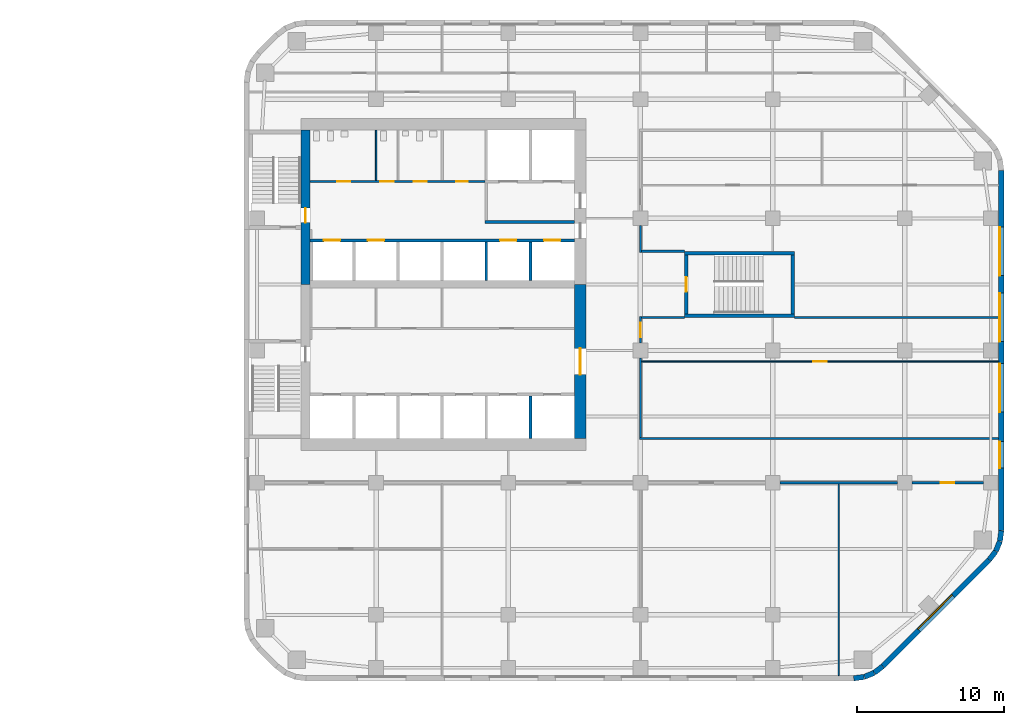
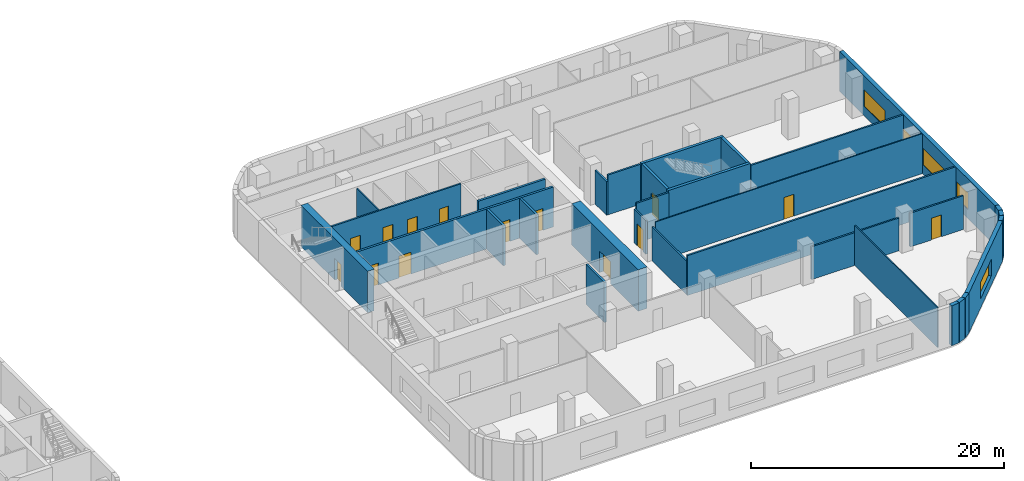
# One storey, part 9 of 14: 32 walls, 14 doors, 5 windows, 19 openings.
"""IFC4 building model written with IfcOpenShell, lengths in metres."""

from ifc_helpers import new_model, si_unit, direction, frame, frame_2d, origin, place, context, subcontext, project, spatial, rectangle, extrude, material, layer, layer_set, type_object, element, fill, save


model = new_model("IFC4")

# Units and contexts
model_context = context("Model", 3, precision=1e-05, world=origin(), true_north=direction((0.0, 1.0)))
body_context = subcontext(model_context, "Body", "Model", "MODEL_VIEW")
ifc_project = project(units=[si_unit("LENGTHUNIT", "METRE"), si_unit("AREAUNIT", "SQUARE_METRE"), si_unit("VOLUMEUNIT", "CUBIC_METRE"), si_unit("PLANEANGLEUNIT", "RADIAN"), si_unit("MASSUNIT", "GRAM", prefix="KILO")], contexts=[model_context])

# Site, building, storey
site_placement = place(None, origin())
site = spatial("IfcSite", under=ifc_project, at=site_placement, CompositionType="ELEMENT")
building_placement = place(site_placement, origin())
building = spatial("IfcBuilding", under=site, at=building_placement, Name="Cinnabar Reach Civic Tower", CompositionType="ELEMENT")
storey_placement = place(building_placement, frame((0.0, 0.0, 108.0)))
storey = spatial("IfcBuildingStorey", under=building, at=storey_placement, Name="L25", CompositionType="ELEMENT", Elevation=108.0)

# Walls
ifc_material_1 = material(Name="Facing brick with insulated backing", Category="masonry")
ifc_layer_1 = layer(ifc_material_1, 0.36)
ifc_layer_set_1 = layer_set([ifc_layer_1], Name="Brick corner wall")
wall_type_1 = type_object("IfcWallType", Name="Brick corner wall", PredefinedType="STANDARD", material=ifc_layer_set_1)
for number, where, z_axis, x_axis, name in (
    (1, (41.5186, 4.683, 0.0), (0.0, 0.0, 1.0), (0.99144092581, 0.13055608231, 0.0), "Brick corner wall"),
    (2, (42.2473, 4.7819, 0.0), (0.0, 0.0, 1.0), (0.923871547278, 0.382702709855, 0.0), "Brick corner wall"),
):
    element("IfcWall", number, at=place(storey_placement, frame(where, z_axis=z_axis, x_axis=x_axis)), inside=storey, type_object=wall_type_1, Name=name, PredefinedType="STANDARD", context=body_context, shape_type="SweptSolid", body=[
        extrude(rectangle(XDim=0.7131, YDim=0.36, at=frame_2d((0.3565, 0.0))), origin(), (0.0, 0.0, 1.0), 3.85),
    ])
for number, where, z_axis, x_axis, name in (
    (3, (42.9255, 5.066, 0.0), (0.0, 0.0, 1.0), (0.793321924995, 0.608802368033, 0.0), "Brick corner wall"),
    (4, (50.7498, 12.7587, 0.0), (0.0, 0.0, 1.0), (0.608802368033, 0.793321924995, 0.0), "Brick corner wall"),
):
    element("IfcWall", number, at=place(storey_placement, frame(where, z_axis=z_axis, x_axis=x_axis)), inside=storey, type_object=wall_type_1, Name=name, PredefinedType="STANDARD", context=body_context, shape_type="SweptSolid", body=[
        extrude(rectangle(XDim=0.7132, YDim=0.36, at=frame_2d((0.3566, 0.0))), origin(), (0.0, 0.0, 1.0), 3.85),
    ])
for number, where, z_axis, x_axis, name in (
    (5, (51.1952, 13.3439, 0.0), (0.0, 0.0, 1.0), (0.382702709855, 0.923871547278, 0.0), "Brick corner wall"),
    (6, (51.4739, 14.0244, 0.0), (0.0, 0.0, 1.0), (0.13055608231, 0.99144092581, 0.0), "Brick corner wall"),
):
    element("IfcWall", number, at=place(storey_placement, frame(where, z_axis=z_axis, x_axis=x_axis)), inside=storey, type_object=wall_type_1, Name=name, PredefinedType="STANDARD", context=body_context, shape_type="SweptSolid", body=[
        extrude(rectangle(XDim=0.7131, YDim=0.36, at=frame_2d((0.3565, 0.0))), origin(), (0.0, 0.0, 1.0), 3.85),
    ])

# Wall, opening, window
ifc_layer_2 = layer(ifc_material_1, 0.36)
ifc_layer_set_2 = layer_set([ifc_layer_2], Name="Brick pier and spandrel wall")
wall_type_2 = type_object("IfcWallType", Name="Brick pier and spandrel wall", PredefinedType="STANDARD", material=ifc_layer_set_2)
wall_1_placement = place(storey_placement, frame((43.5014, 5.506, 0.0), z_axis=(0.0, 0.0, 1.0), x_axis=(0.707106781187, 0.707106781187, 0.0)))
wall_1 = element("IfcWall", 7, at=wall_1_placement, inside=storey, type_object=wall_type_2, Name="Brick facade wall", PredefinedType="STANDARD", context=body_context, shape_type="SweptSolid", body=[
    extrude(rectangle(XDim=10.2426, YDim=0.36, at=frame_2d((5.1213, 0.0))), origin(), (0.0, 0.0, 1.0), 3.85),
])
opening_1_placement = place(wall_1_placement, frame((3.4713, 0.0, 0.9)))
opening_1 = element("IfcOpeningElement", 8, at=opening_1_placement, cuts=wall_1, Name="Opening W1530", PredefinedType="OPENING", context=body_context, shape_type="SweptSolid", body=[
    extrude(rectangle(XDim=3.3, YDim=1.6, at=frame_2d((1.65, 0.8))), frame((0.0, 0.19, 0.0), z_axis=(0.0, -1.0, 0.0), x_axis=(1.0, 0.0, 0.0)), (0.0, 0.0, 1.0), 0.38),
])
ifc_material_2 = material(Name="Clear double glazing in aluminium frame", Category="aluminium")
window_type_1 = type_object("IfcWindowType", Name="Deep-set window A", PartitioningType="SINGLE_PANEL", PredefinedType="WINDOW", material=ifc_material_2)
window_1_placement = place(opening_1_placement, origin())
window_1 = element("IfcWindow", 9, at=window_1_placement, inside=storey, type_object=window_type_1, Name="Window southeast face", OverallHeight=1.6, OverallWidth=3.3, PartitioningType="SINGLE_PANEL", PredefinedType="WINDOW", context=body_context, shape_type="SweptSolid", body=[
    extrude(rectangle(XDim=3.3, YDim=1.6, at=frame_2d((1.65, 0.8))), frame((0.0, 0.13, 0.0), z_axis=(0.0, -1.0, 0.0), x_axis=(1.0, 0.0, 0.0)), (0.0, 0.0, 1.0), 0.06),
])
fill(opening_1, window_1)

# Wall, openings, windows
wall_2_placement = place(storey_placement, frame((51.57, 14.7426, 0.0), z_axis=(0.0, 0.0, 1.0), x_axis=(0.0, 1.0, 0.0)))
wall_2 = element("IfcWall", 10, at=wall_2_placement, inside=storey, type_object=wall_type_2, Name="Brick facade wall", PredefinedType="STANDARD", context=body_context, shape_type="SweptSolid", body=[
    extrude(rectangle(XDim=24.5148, YDim=0.36, at=frame_2d((12.2574, 0.0))), origin(), (0.0, 0.0, 1.0), 3.85),
])
opening_2_placement = place(wall_2_placement, frame((4.2574, 0.0, 0.9)))
opening_2 = element("IfcOpeningElement", 11, at=opening_2_placement, cuts=wall_2, Name="Opening W1531", PredefinedType="OPENING", context=body_context, shape_type="SweptSolid", body=[
    extrude(rectangle(XDim=1.8, YDim=1.6, at=frame_2d((0.9, 0.8))), frame((0.0, 0.19, 0.0), z_axis=(0.0, -1.0, 0.0), x_axis=(1.0, 0.0, 0.0)), (0.0, 0.0, 1.0), 0.38),
])
opening_3_placement = place(wall_2_placement, frame((8.0574, 0.0, 0.9)))
opening_3 = element("IfcOpeningElement", 12, at=opening_3_placement, cuts=wall_2, Name="Opening W1532", PredefinedType="OPENING", context=body_context, shape_type="SweptSolid", body=[
    extrude(rectangle(XDim=3.3, YDim=1.6, at=frame_2d((1.65, 0.8))), frame((0.0, 0.19, 0.0), z_axis=(0.0, -1.0, 0.0), x_axis=(1.0, 0.0, 0.0)), (0.0, 0.0, 1.0), 0.38),
])
opening_4_placement = place(wall_2_placement, frame((12.8574, 0.0, 0.9)))
opening_4 = element("IfcOpeningElement", 13, at=opening_4_placement, cuts=wall_2, Name="Opening W1533", PredefinedType="OPENING", context=body_context, shape_type="SweptSolid", body=[
    extrude(rectangle(XDim=3.3, YDim=1.6, at=frame_2d((1.65, 0.8))), frame((0.0, 0.19, 0.0), z_axis=(0.0, -1.0, 0.0), x_axis=(1.0, 0.0, 0.0)), (0.0, 0.0, 1.0), 0.38),
])
opening_5_placement = place(wall_2_placement, frame((17.3574, 0.0, 0.9)))
opening_5 = element("IfcOpeningElement", 14, at=opening_5_placement, cuts=wall_2, Name="Opening W1534", PredefinedType="OPENING", context=body_context, shape_type="SweptSolid", body=[
    extrude(rectangle(XDim=3.3, YDim=1.6, at=frame_2d((1.65, 0.8))), frame((0.0, 0.19, 0.0), z_axis=(0.0, -1.0, 0.0), x_axis=(1.0, 0.0, 0.0)), (0.0, 0.0, 1.0), 0.38),
])
window_2_placement = place(opening_3_placement, origin())
window_2 = element("IfcWindow", 15, at=window_2_placement, inside=storey, type_object=window_type_1, Name="Window east face", OverallHeight=1.6, OverallWidth=3.3, PartitioningType="SINGLE_PANEL", PredefinedType="WINDOW", context=body_context, shape_type="SweptSolid", body=[
    extrude(rectangle(XDim=3.3, YDim=1.6, at=frame_2d((1.65, 0.8))), frame((0.0, 0.13, 0.0), z_axis=(0.0, -1.0, 0.0), x_axis=(1.0, 0.0, 0.0)), (0.0, 0.0, 1.0), 0.06),
])
fill(opening_3, window_2)
window_3_placement = place(opening_4_placement, origin())
window_3 = element("IfcWindow", 16, at=window_3_placement, inside=storey, type_object=window_type_1, Name="Window east face", OverallHeight=1.6, OverallWidth=3.3, PartitioningType="SINGLE_PANEL", PredefinedType="WINDOW", context=body_context, shape_type="SweptSolid", body=[
    extrude(rectangle(XDim=3.3, YDim=1.6, at=frame_2d((1.65, 0.8))), frame((0.0, 0.13, 0.0), z_axis=(0.0, -1.0, 0.0), x_axis=(1.0, 0.0, 0.0)), (0.0, 0.0, 1.0), 0.06),
])
fill(opening_4, window_3)
window_4_placement = place(opening_5_placement, origin())
window_4 = element("IfcWindow", 17, at=window_4_placement, inside=storey, type_object=window_type_1, Name="Window east face", OverallHeight=1.6, OverallWidth=3.3, PartitioningType="SINGLE_PANEL", PredefinedType="WINDOW", context=body_context, shape_type="SweptSolid", body=[
    extrude(rectangle(XDim=3.3, YDim=1.6, at=frame_2d((1.65, 0.8))), frame((0.0, 0.13, 0.0), z_axis=(0.0, -1.0, 0.0), x_axis=(1.0, 0.0, 0.0)), (0.0, 0.0, 1.0), 0.06),
])
fill(opening_5, window_4)
window_type_2 = type_object("IfcWindowType", Name="Deep-set window D", PartitioningType="SINGLE_PANEL", PredefinedType="WINDOW", material=ifc_material_2)
window_5_placement = place(opening_2_placement, origin())
window_5 = element("IfcWindow", 18, at=window_5_placement, inside=storey, type_object=window_type_2, Name="Window east face", OverallHeight=1.6, OverallWidth=1.8, PartitioningType="SINGLE_PANEL", PredefinedType="WINDOW", context=body_context, shape_type="SweptSolid", body=[
    extrude(rectangle(XDim=1.8, YDim=1.6, at=frame_2d((0.9, 0.8))), frame((0.0, 0.13, 0.0), z_axis=(0.0, -1.0, 0.0), x_axis=(1.0, 0.0, 0.0)), (0.0, 0.0, 1.0), 0.06),
])
fill(opening_2, window_5)

# Wall, opening, door
ifc_material_3 = material(Name="Concrete C70", Category="concrete")
ifc_layer_3 = layer(ifc_material_3, 0.6)
ifc_layer_set_3 = layer_set([ifc_layer_3], Name="Core wall 600 EI 180")
wall_type_3 = type_object("IfcWallType", Name="Core wall 600 EI 180", PredefinedType="SOLIDWALL", material=ifc_layer_set_3)
wall_3_placement = place(storey_placement, frame((4.2, 42.0, 0.0), z_axis=(0.0, 0.0, 1.0), x_axis=(0.0, -1.0, 0.0)))
wall_3 = element("IfcWall", 19, at=wall_3_placement, inside=storey, type_object=wall_type_3, Name="Core wall T1 L25 W", PredefinedType="SOLIDWALL", context=body_context, shape_type="SweptSolid", body=[
    extrude(rectangle(XDim=10.5, YDim=0.6, at=frame_2d((5.25, 0.0))), origin(), (0.0, 0.0, 1.0), 4.0),
])
opening_6_placement = place(wall_3_placement, frame((5.3, 0.0, 0.0)))
opening_6 = element("IfcOpeningElement", 20, at=opening_6_placement, cuts=wall_3, Name="Opening D4007", PredefinedType="OPENING", context=body_context, shape_type="SweptSolid", body=[
    extrude(rectangle(XDim=1.0, YDim=2.1, at=frame_2d((0.5, 1.05))), frame((0.0, 0.31, 0.0), z_axis=(0.0, -1.0, 0.0), x_axis=(1.0, 0.0, 0.0)), (0.0, 0.0, 1.0), 0.62),
])
ifc_material_4 = material(Name="Timber door leaf in steel frame", Category="steel")
door_type_1 = type_object("IfcDoorType", Name="Stair door 1000 x 2100 T1", OperationType="SINGLE_SWING_LEFT", PredefinedType="DOOR", material=ifc_material_4)
door_1_placement = place(opening_6_placement, frame((1.0, 0.0, 0.0), z_axis=(0.0, 0.0, 1.0), x_axis=(-1.0, 0.0, 0.0)))
door_1 = element("IfcDoor", 21, at=door_1_placement, inside=storey, type_object=door_type_1, Name="Door D4007", OperationType="SINGLE_SWING_LEFT", OverallHeight=2.1, OverallWidth=1.0, PredefinedType="DOOR", context=body_context, shape_type="SweptSolid", body=[
    extrude(rectangle(XDim=1.0, YDim=2.1, at=frame_2d((0.5, 1.05))), frame((0.0, 0.025, 0.0), z_axis=(0.0, -1.0, 0.0), x_axis=(1.0, 0.0, 0.0)), (0.0, 0.0, 1.0), 0.05),
])
fill(opening_6, door_1)

ifc_layer_4 = layer(ifc_material_3, 0.8)
ifc_layer_set_4 = layer_set([ifc_layer_4], Name="Core wall 800 EI 180")
wall_type_4 = type_object("IfcWallType", Name="Core wall 800 EI 180", PredefinedType="SOLIDWALL", material=ifc_layer_set_4)
wall_4_placement = place(storey_placement, frame((22.9, 21.0, 0.0), z_axis=(0.0, 0.0, 1.0), x_axis=(0.0, 1.0, 0.0)))
wall_4 = element("IfcWall", 22, at=wall_4_placement, inside=storey, type_object=wall_type_4, Name="Core wall T1 L25 E", PredefinedType="SOLIDWALL", context=body_context, shape_type="SweptSolid", body=[
    extrude(rectangle(XDim=10.5, YDim=0.8, at=frame_2d((5.25, 0.0))), origin(), (0.0, 0.0, 1.0), 4.0),
])
opening_7_placement = place(wall_4_placement, frame((4.35, 0.0, 0.0)))
opening_7 = element("IfcOpeningElement", 23, at=opening_7_placement, cuts=wall_4, Name="Opening D4021", PredefinedType="OPENING", context=body_context, shape_type="SweptSolid", body=[
    extrude(rectangle(XDim=1.8, YDim=2.1, at=frame_2d((0.9, 1.05))), frame((0.0, 0.41, 0.0), z_axis=(0.0, -1.0, 0.0), x_axis=(1.0, 0.0, 0.0)), (0.0, 0.0, 1.0), 0.82),
])
door_type_2 = type_object("IfcDoorType", Name="Double swing door 1800 x 2100 T1", OperationType="DOUBLE_DOOR_DOUBLE_SWING", PredefinedType="DOOR", material=ifc_material_4)
door_2_placement = place(opening_7_placement, origin())
door_2 = element("IfcDoor", 24, at=door_2_placement, inside=storey, type_object=door_type_2, Name="Door D4021", OperationType="DOUBLE_DOOR_DOUBLE_SWING", OverallHeight=2.1, OverallWidth=1.8, PredefinedType="DOOR", context=body_context, shape_type="SweptSolid", body=[
    extrude(rectangle(XDim=1.8, YDim=2.1, at=frame_2d((0.9, 1.05))), frame((0.0, 0.025, 0.0), z_axis=(0.0, -1.0, 0.0), x_axis=(1.0, 0.0, 0.0)), (0.0, 0.0, 1.0), 0.05),
])
fill(opening_7, door_2)

ifc_material_5 = material(Name="Gypsum board on steel studs, double layer", Category="steel")
ifc_layer_5 = layer(ifc_material_5, 0.15)
ifc_layer_set_5 = layer_set([ifc_layer_5], Name="Corridor wall 150 T1")
wall_type_5 = type_object("IfcWallType", Name="Corridor wall 150 T1", PredefinedType="PARTITIONING", material=ifc_layer_set_5)
wall_5_placement = place(storey_placement, frame((45.5, 18.0, 0.0), z_axis=(0.0, 0.0, 1.0), x_axis=(1.0, 0.0, 0.0)))
wall_5 = element("IfcWall", 25, at=wall_5_placement, inside=storey, type_object=wall_type_5, Name="Corridor wall 19", PredefinedType="PARTITIONING", context=body_context, shape_type="SweptSolid", body=[
    extrude(rectangle(XDim=4.85, YDim=0.15, at=frame_2d((2.425, 0.0))), origin(), (0.0, 0.0, 1.0), 3.254),
])
opening_8_placement = place(wall_5_placement, frame((1.95, 0.0, 0.0)))
opening_8 = element("IfcOpeningElement", 26, at=opening_8_placement, cuts=wall_5, Name="Opening D4041", PredefinedType="OPENING", context=body_context, shape_type="SweptSolid", body=[
    extrude(rectangle(XDim=0.9, YDim=2.1, at=frame_2d((0.45, 1.05))), frame((0.0, 0.085, 0.0), z_axis=(0.0, -1.0, 0.0), x_axis=(1.0, 0.0, 0.0)), (0.0, 0.0, 1.0), 0.17),
])
door_type_3 = type_object("IfcDoorType", Name="Single swing door 900 x 2100 corridor T1", OperationType="SINGLE_SWING_LEFT", PredefinedType="DOOR", material=ifc_material_4)
door_3_placement = place(opening_8_placement, frame((0.9, 0.0, 0.0), z_axis=(0.0, 0.0, 1.0), x_axis=(-1.0, 0.0, 0.0)))
door_3 = element("IfcDoor", 27, at=door_3_placement, inside=storey, type_object=door_type_3, Name="Door D4041", OperationType="SINGLE_SWING_LEFT", OverallHeight=2.1, OverallWidth=0.9, PredefinedType="DOOR", context=body_context, shape_type="SweptSolid", body=[
    extrude(rectangle(XDim=0.9, YDim=2.1, at=frame_2d((0.45, 1.05))), frame((0.0, 0.025, 0.0), z_axis=(0.0, -1.0, 0.0), x_axis=(1.0, 0.0, 0.0)), (0.0, 0.0, 1.0), 0.05),
])
fill(opening_8, door_3)

# Walls
wall_6_placement = place(storey_placement, frame((36.5, 18.0, 0.0), z_axis=(0.0, 0.0, 1.0), x_axis=(1.0, 0.0, 0.0)))
element("IfcWall", 28, at=wall_6_placement, inside=storey, type_object=wall_type_5, Name="Corridor wall 20", PredefinedType="PARTITIONING", context=body_context, shape_type="SweptSolid", body=[
    extrude(rectangle(XDim=8.0, YDim=0.15, at=frame_2d((4.0, 0.0))), origin(), (0.0, 0.0, 1.0), 3.158),
])
wall_7_placement = place(storey_placement, frame((26.925, 21.0, 0.0), z_axis=(0.0, 0.0, 1.0), x_axis=(1.0, 0.0, 0.0)))
element("IfcWall", 29, at=wall_7_placement, inside=storey, type_object=wall_type_5, Name="Corridor wall 26", PredefinedType="PARTITIONING", context=body_context, shape_type="SweptSolid", body=[
    extrude(rectangle(XDim=24.465, YDim=0.15, at=frame_2d((12.2325, 0.0))), origin(), (0.0, 0.0, 1.0), 3.85),
])

# Wall, openings, doors
wall_8_placement = place(storey_placement, frame((4.5, 38.5, 0.0), z_axis=(0.0, 0.0, 1.0), x_axis=(1.0, 0.0, 0.0)))
wall_8 = element("IfcWall", 30, at=wall_8_placement, inside=storey, type_object=wall_type_5, Name="Corridor wall 30", PredefinedType="PARTITIONING", context=body_context, shape_type="SweptSolid", body=[
    extrude(rectangle(XDim=11.9, YDim=0.15, at=frame_2d((5.95, 0.0))), origin(), (0.0, 0.0, 1.0), 3.85),
])
opening_9_placement = place(wall_8_placement, frame((1.85, 0.0, 0.0)))
opening_9 = element("IfcOpeningElement", 31, at=opening_9_placement, cuts=wall_8, Name="Opening D4028", PredefinedType="OPENING", context=body_context, shape_type="SweptSolid", body=[
    extrude(rectangle(XDim=0.9, YDim=2.1, at=frame_2d((0.45, 1.05))), frame((0.0, 0.085, 0.0), z_axis=(0.0, -1.0, 0.0), x_axis=(1.0, 0.0, 0.0)), (0.0, 0.0, 1.0), 0.17),
])
opening_10_placement = place(wall_8_placement, frame((4.8, 0.0, 0.0)))
opening_10 = element("IfcOpeningElement", 32, at=opening_10_placement, cuts=wall_8, Name="Opening D4029", PredefinedType="OPENING", context=body_context, shape_type="SweptSolid", body=[
    extrude(rectangle(XDim=0.9, YDim=2.1, at=frame_2d((0.45, 1.05))), frame((0.0, 0.085, 0.0), z_axis=(0.0, -1.0, 0.0), x_axis=(1.0, 0.0, 0.0)), (0.0, 0.0, 1.0), 0.17),
])
opening_11_placement = place(wall_8_placement, frame((7.05, 0.0, 0.0)))
opening_11 = element("IfcOpeningElement", 33, at=opening_11_placement, cuts=wall_8, Name="Opening D4030", PredefinedType="OPENING", context=body_context, shape_type="SweptSolid", body=[
    extrude(rectangle(XDim=0.9, YDim=2.1, at=frame_2d((0.45, 1.05))), frame((0.0, 0.085, 0.0), z_axis=(0.0, -1.0, 0.0), x_axis=(1.0, 0.0, 0.0)), (0.0, 0.0, 1.0), 0.17),
])
opening_12_placement = place(wall_8_placement, frame((9.95, 0.0, 0.0)))
opening_12 = element("IfcOpeningElement", 34, at=opening_12_placement, cuts=wall_8, Name="Opening D4031", PredefinedType="OPENING", context=body_context, shape_type="SweptSolid", body=[
    extrude(rectangle(XDim=0.8, YDim=2.1, at=frame_2d((0.4, 1.05))), frame((0.0, 0.085, 0.0), z_axis=(0.0, -1.0, 0.0), x_axis=(1.0, 0.0, 0.0)), (0.0, 0.0, 1.0), 0.17),
])
door_type_4 = type_object("IfcDoorType", Name="Riser access door 800 x 2100 T1", OperationType="SINGLE_SWING_LEFT", PredefinedType="DOOR", material=ifc_material_4)
door_4_placement = place(opening_12_placement, origin())
door_4 = element("IfcDoor", 35, at=door_4_placement, inside=storey, type_object=door_type_4, Name="Door D4031", OperationType="SINGLE_SWING_LEFT", OverallHeight=2.1, OverallWidth=0.8, PredefinedType="DOOR", context=body_context, shape_type="SweptSolid", body=[
    extrude(rectangle(XDim=0.8, YDim=2.1, at=frame_2d((0.4, 1.05))), frame((0.0, 0.025, 0.0), z_axis=(0.0, -1.0, 0.0), x_axis=(1.0, 0.0, 0.0)), (0.0, 0.0, 1.0), 0.05),
])
fill(opening_12, door_4)
door_5_placement = place(opening_9_placement, origin())
door_5 = element("IfcDoor", 36, at=door_5_placement, inside=storey, type_object=door_type_3, Name="Door D4028", OperationType="SINGLE_SWING_RIGHT", OverallHeight=2.1, OverallWidth=0.9, PredefinedType="DOOR", context=body_context, shape_type="SweptSolid", body=[
    extrude(rectangle(XDim=0.9, YDim=2.1, at=frame_2d((0.45, 1.05))), frame((0.0, 0.025, 0.0), z_axis=(0.0, -1.0, 0.0), x_axis=(1.0, 0.0, 0.0)), (0.0, 0.0, 1.0), 0.05),
])
fill(opening_9, door_5)
door_6_placement = place(opening_10_placement, origin())
door_6 = element("IfcDoor", 37, at=door_6_placement, inside=storey, type_object=door_type_3, Name="Door D4029", OperationType="SINGLE_SWING_RIGHT", OverallHeight=2.1, OverallWidth=0.9, PredefinedType="DOOR", context=body_context, shape_type="SweptSolid", body=[
    extrude(rectangle(XDim=0.9, YDim=2.1, at=frame_2d((0.45, 1.05))), frame((0.0, 0.025, 0.0), z_axis=(0.0, -1.0, 0.0), x_axis=(1.0, 0.0, 0.0)), (0.0, 0.0, 1.0), 0.05),
])
fill(opening_10, door_6)
door_7_placement = place(opening_11_placement, origin())
door_7 = element("IfcDoor", 38, at=door_7_placement, inside=storey, type_object=door_type_3, Name="Door D4030", OperationType="SINGLE_SWING_LEFT", OverallHeight=2.1, OverallWidth=0.9, PredefinedType="DOOR", context=body_context, shape_type="SweptSolid", body=[
    extrude(rectangle(XDim=0.9, YDim=2.1, at=frame_2d((0.45, 1.05))), frame((0.0, 0.025, 0.0), z_axis=(0.0, -1.0, 0.0), x_axis=(1.0, 0.0, 0.0)), (0.0, 0.0, 1.0), 0.05),
])
fill(opening_11, door_7)

# Wall
wall_9_placement = place(storey_placement, frame((27.0, 21.075, 0.0), z_axis=(0.0, 0.0, 1.0), x_axis=(0.0, 1.0, 0.0)))
element("IfcWall", 39, at=wall_9_placement, inside=storey, type_object=wall_type_5, Name="Corridor wall 31", PredefinedType="PARTITIONING", context=body_context, shape_type="SweptSolid", body=[
    extrude(rectangle(XDim=5.425, YDim=0.15, at=frame_2d((2.7125, 0.0))), origin(), (0.0, 0.0, 1.0), 3.256),
])

# Wall, opening, door
wall_10_placement = place(storey_placement, frame((27.0, 27.5, 0.0), z_axis=(0.0, 0.0, 1.0), x_axis=(0.0, 1.0, 0.0)))
wall_10 = element("IfcWall", 40, at=wall_10_placement, inside=storey, type_object=wall_type_5, Name="Corridor wall 32", PredefinedType="PARTITIONING", context=body_context, shape_type="SweptSolid", body=[
    extrude(rectangle(XDim=1.825, YDim=0.15, at=frame_2d((0.9125, 0.0))), origin(), (0.0, 0.0, 1.0), 3.256),
])
opening_13_placement = place(wall_10_placement, frame((0.4, 0.0, 0.0)))
opening_13 = element("IfcOpeningElement", 41, at=opening_13_placement, cuts=wall_10, Name="Opening D4035", PredefinedType="OPENING", context=body_context, shape_type="SweptSolid", body=[
    extrude(rectangle(XDim=1.0, YDim=2.1, at=frame_2d((0.5, 1.05))), frame((0.0, 0.085, 0.0), z_axis=(0.0, -1.0, 0.0), x_axis=(1.0, 0.0, 0.0)), (0.0, 0.0, 1.0), 0.17),
])
door_type_5 = type_object("IfcDoorType", Name="Tenancy entrance door 1000 x 2100 T1", OperationType="SINGLE_SWING_LEFT", PredefinedType="DOOR", material=ifc_material_4)
door_8_placement = place(opening_13_placement, frame((1.0, 0.0, 0.0), z_axis=(0.0, 0.0, 1.0), x_axis=(-1.0, 0.0, 0.0)))
door_8 = element("IfcDoor", 42, at=door_8_placement, inside=storey, type_object=door_type_5, Name="Door D4035", OperationType="SINGLE_SWING_LEFT", OverallHeight=2.1, OverallWidth=1.0, PredefinedType="DOOR", context=body_context, shape_type="SweptSolid", body=[
    extrude(rectangle(XDim=1.0, YDim=2.1, at=frame_2d((0.5, 1.05))), frame((0.0, 0.025, 0.0), z_axis=(0.0, -1.0, 0.0), x_axis=(1.0, 0.0, 0.0)), (0.0, 0.0, 1.0), 0.05),
])
fill(opening_13, door_8)

# Walls
wall_11_placement = place(storey_placement, frame((27.0, 33.675, 0.0), z_axis=(0.0, 0.0, 1.0), x_axis=(0.0, 1.0, 0.0)))
element("IfcWall", 43, at=wall_11_placement, inside=storey, type_object=wall_type_5, Name="Corridor wall 33", PredefinedType="PARTITIONING", context=body_context, shape_type="SweptSolid", body=[
    extrude(rectangle(XDim=1.825, YDim=0.15, at=frame_2d((0.9125, 0.0))), origin(), (0.0, 0.0, 1.0), 3.256),
])
for number, where, z_axis, x_axis, name in (
    (44, (27.075, 29.25, 0.0), (0.0, 0.0, 1.0), (1.0, 0.0, 0.0), "Corridor wall 37"),
    (45, (27.075, 33.75, 0.0), (0.0, 0.0, 1.0), (1.0, 0.0, 0.0), "Corridor wall 38"),
):
    element("IfcWall", number, at=place(storey_placement, frame(where, z_axis=z_axis, x_axis=x_axis)), inside=storey, type_object=wall_type_5, Name=name, PredefinedType="PARTITIONING", context=body_context, shape_type="SweptSolid", body=[
        extrude(rectangle(XDim=2.925, YDim=0.15, at=frame_2d((1.4625, 0.0))), origin(), (0.0, 0.0, 1.0), 3.85),
    ])

# Wall, openings, doors
ifc_material_6 = material(Name="Blockwork", Category="masonry")
ifc_layer_6 = layer(ifc_material_6, 0.2)
ifc_layer_set_6 = layer_set([ifc_layer_6], Name="Lift shaft wall 200 T1")
wall_type_6 = type_object("IfcWallType", Name="Lift shaft wall 200 T1", PredefinedType="PARTITIONING", material=ifc_layer_set_6)
wall_12_placement = place(storey_placement, frame((4.5, 34.5, 0.0), z_axis=(0.0, 0.0, 1.0), x_axis=(1.0, 0.0, 0.0)))
wall_12 = element("IfcWall", 46, at=wall_12_placement, inside=storey, type_object=wall_type_6, Name="Lift shaft wall 5", PredefinedType="PARTITIONING", context=body_context, shape_type="SweptSolid", body=[
    extrude(rectangle(XDim=18.0, YDim=0.2, at=frame_2d((9.0, 0.0))), origin(), (0.0, 0.0, 1.0), 3.85),
])
opening_14_placement = place(wall_12_placement, frame((0.95, 0.0, 0.0)))
opening_14 = element("IfcOpeningElement", 47, at=opening_14_placement, cuts=wall_12, Name="Opening D4015", PredefinedType="OPENING", context=body_context, shape_type="SweptSolid", body=[
    extrude(rectangle(XDim=1.1, YDim=2.1, at=frame_2d((0.55, 1.05))), frame((0.0, 0.11, 0.0), z_axis=(0.0, -1.0, 0.0), x_axis=(1.0, 0.0, 0.0)), (0.0, 0.0, 1.0), 0.22),
])
opening_15_placement = place(wall_12_placement, frame((3.95, 0.0, 0.0)))
opening_15 = element("IfcOpeningElement", 48, at=opening_15_placement, cuts=wall_12, Name="Opening D4016", PredefinedType="OPENING", context=body_context, shape_type="SweptSolid", body=[
    extrude(rectangle(XDim=1.1, YDim=2.1, at=frame_2d((0.55, 1.05))), frame((0.0, 0.11, 0.0), z_axis=(0.0, -1.0, 0.0), x_axis=(1.0, 0.0, 0.0)), (0.0, 0.0, 1.0), 0.22),
])
opening_16_placement = place(wall_12_placement, frame((12.95, 0.0, 0.0)))
opening_16 = element("IfcOpeningElement", 49, at=opening_16_placement, cuts=wall_12, Name="Opening D4017", PredefinedType="OPENING", context=body_context, shape_type="SweptSolid", body=[
    extrude(rectangle(XDim=1.1, YDim=2.1, at=frame_2d((0.55, 1.05))), frame((0.0, 0.11, 0.0), z_axis=(0.0, -1.0, 0.0), x_axis=(1.0, 0.0, 0.0)), (0.0, 0.0, 1.0), 0.22),
])
opening_17_placement = place(wall_12_placement, frame((15.95, 0.0, 0.0)))
opening_17 = element("IfcOpeningElement", 50, at=opening_17_placement, cuts=wall_12, Name="Opening D4018", PredefinedType="OPENING", context=body_context, shape_type="SweptSolid", body=[
    extrude(rectangle(XDim=1.1, YDim=2.1, at=frame_2d((0.55, 1.05))), frame((0.0, 0.11, 0.0), z_axis=(0.0, -1.0, 0.0), x_axis=(1.0, 0.0, 0.0)), (0.0, 0.0, 1.0), 0.22),
])
ifc_material_7 = material(Name="Stainless steel sliding door", Category="steel")
door_type_6 = type_object("IfcDoorType", Name="Lift landing door 1100 x 2100 T1", OperationType="SLIDING_TO_LEFT", PredefinedType="DOOR", material=ifc_material_7)
door_9_placement = place(opening_14_placement, origin())
door_9 = element("IfcDoor", 51, at=door_9_placement, inside=storey, type_object=door_type_6, Name="Lift landing door SH1 L25", OperationType="SLIDING_TO_LEFT", OverallHeight=2.1, OverallWidth=1.1, PredefinedType="DOOR", context=body_context, shape_type="SweptSolid", body=[
    extrude(rectangle(XDim=1.1, YDim=2.1, at=frame_2d((0.55, 1.05))), frame((0.0, 0.025, 0.0), z_axis=(0.0, -1.0, 0.0), x_axis=(1.0, 0.0, 0.0)), (0.0, 0.0, 1.0), 0.05),
])
fill(opening_14, door_9)
door_10_placement = place(opening_15_placement, origin())
door_10 = element("IfcDoor", 52, at=door_10_placement, inside=storey, type_object=door_type_6, Name="Lift landing door SH2 L25", OperationType="SLIDING_TO_LEFT", OverallHeight=2.1, OverallWidth=1.1, PredefinedType="DOOR", context=body_context, shape_type="SweptSolid", body=[
    extrude(rectangle(XDim=1.1, YDim=2.1, at=frame_2d((0.55, 1.05))), frame((0.0, 0.025, 0.0), z_axis=(0.0, -1.0, 0.0), x_axis=(1.0, 0.0, 0.0)), (0.0, 0.0, 1.0), 0.05),
])
fill(opening_15, door_10)
door_11_placement = place(opening_16_placement, origin())
door_11 = element("IfcDoor", 53, at=door_11_placement, inside=storey, type_object=door_type_6, Name="Lift landing door SV1 L25", OperationType="SLIDING_TO_LEFT", OverallHeight=2.1, OverallWidth=1.1, PredefinedType="DOOR", context=body_context, shape_type="SweptSolid", body=[
    extrude(rectangle(XDim=1.1, YDim=2.1, at=frame_2d((0.55, 1.05))), frame((0.0, 0.025, 0.0), z_axis=(0.0, -1.0, 0.0), x_axis=(1.0, 0.0, 0.0)), (0.0, 0.0, 1.0), 0.05),
])
fill(opening_16, door_11)
door_12_placement = place(opening_17_placement, origin())
door_12 = element("IfcDoor", 54, at=door_12_placement, inside=storey, type_object=door_type_6, Name="Lift landing door SV2 L25", OperationType="SLIDING_TO_LEFT", OverallHeight=2.1, OverallWidth=1.1, PredefinedType="DOOR", context=body_context, shape_type="SweptSolid", body=[
    extrude(rectangle(XDim=1.1, YDim=2.1, at=frame_2d((0.55, 1.05))), frame((0.0, 0.025, 0.0), z_axis=(0.0, -1.0, 0.0), x_axis=(1.0, 0.0, 0.0)), (0.0, 0.0, 1.0), 0.05),
])
fill(opening_17, door_12)

# Walls
wall_13_placement = place(storey_placement, frame((16.5, 31.75, 0.0), z_axis=(0.0, 0.0, 1.0), x_axis=(0.0, 1.0, 0.0)))
element("IfcWall", 55, at=wall_13_placement, inside=storey, type_object=wall_type_6, Name="Lift shaft wall 16", PredefinedType="PARTITIONING", context=body_context, shape_type="SweptSolid", body=[
    extrude(rectangle(XDim=2.65, YDim=0.2, at=frame_2d((1.325, 0.0))), origin(), (0.0, 0.0, 1.0), 3.85),
])
wall_14_placement = place(storey_placement, frame((19.5, 21.0, 0.0), z_axis=(0.0, 0.0, 1.0), x_axis=(0.0, 1.0, 0.0)))
element("IfcWall", 56, at=wall_14_placement, inside=storey, type_object=wall_type_6, Name="Lift shaft wall 17", PredefinedType="PARTITIONING", context=body_context, shape_type="SweptSolid", body=[
    extrude(rectangle(XDim=2.9, YDim=0.2, at=frame_2d((1.45, 0.0))), origin(), (0.0, 0.0, 1.0), 3.85),
])
wall_15_placement = place(storey_placement, frame((19.5, 31.75, 0.0), z_axis=(0.0, 0.0, 1.0), x_axis=(0.0, 1.0, 0.0)))
element("IfcWall", 57, at=wall_15_placement, inside=storey, type_object=wall_type_6, Name="Lift shaft wall 18", PredefinedType="PARTITIONING", context=body_context, shape_type="SweptSolid", body=[
    extrude(rectangle(XDim=2.65, YDim=0.2, at=frame_2d((1.325, 0.0))), origin(), (0.0, 0.0, 1.0), 3.85),
])

# Wall, opening, door
ifc_material_8 = material(Name="Gypsum board on steel studs", Category="steel")
ifc_layer_7 = layer(ifc_material_8, 0.1)
ifc_layer_set_7 = layer_set([ifc_layer_7], Name="Partition wall 100 T1")
wall_type_7 = type_object("IfcWallType", Name="Partition wall 100 T1", PredefinedType="PARTITIONING", material=ifc_layer_set_7)
wall_16_placement = place(storey_placement, frame((27.075, 26.25, 0.0), z_axis=(0.0, 0.0, 1.0), x_axis=(1.0, 0.0, 0.0)))
wall_16 = element("IfcWall", 58, at=wall_16_placement, inside=storey, type_object=wall_type_7, Name="Partition wall 43", PredefinedType="PARTITIONING", context=body_context, shape_type="SweptSolid", body=[
    extrude(rectangle(XDim=24.315, YDim=0.1, at=frame_2d((12.1575, 0.0))), origin(), (0.0, 0.0, 1.0), 3.85),
])
opening_18_placement = place(wall_16_placement, frame((11.7, 0.0, 0.0)))
opening_18 = element("IfcOpeningElement", 59, at=opening_18_placement, cuts=wall_16, Name="Opening D4036", PredefinedType="OPENING", context=body_context, shape_type="SweptSolid", body=[
    extrude(rectangle(XDim=0.9, YDim=2.1, at=frame_2d((0.45, 1.05))), frame((0.0, 0.06, 0.0), z_axis=(0.0, -1.0, 0.0), x_axis=(1.0, 0.0, 0.0)), (0.0, 0.0, 1.0), 0.12),
])
door_type_7 = type_object("IfcDoorType", Name="Single swing door 900 x 2100 T1", OperationType="SINGLE_SWING_LEFT", PredefinedType="DOOR", material=ifc_material_4)
door_13_placement = place(opening_18_placement, origin())
door_13 = element("IfcDoor", 60, at=door_13_placement, inside=storey, type_object=door_type_7, Name="Door D4036", OperationType="SINGLE_SWING_RIGHT", OverallHeight=2.1, OverallWidth=0.9, PredefinedType="DOOR", context=body_context, shape_type="SweptSolid", body=[
    extrude(rectangle(XDim=0.9, YDim=2.1, at=frame_2d((0.45, 1.05))), frame((0.0, 0.025, 0.0), z_axis=(0.0, -1.0, 0.0), x_axis=(1.0, 0.0, 0.0)), (0.0, 0.0, 1.0), 0.05),
])
fill(opening_18, door_13)

# Walls
wall_17_placement = place(storey_placement, frame((40.5, 4.86, 0.0), z_axis=(0.0, 0.0, 1.0), x_axis=(0.0, 1.0, 0.0)))
element("IfcWall", 61, at=wall_17_placement, inside=storey, type_object=wall_type_7, Name="Partition wall 50", PredefinedType="PARTITIONING", context=body_context, shape_type="SweptSolid", body=[
    extrude(rectangle(XDim=13.065, YDim=0.1, at=frame_2d((6.5325, 0.0))), origin(), (0.0, 0.0, 1.0), 3.85),
])
wall_18_placement = place(storey_placement, frame((9.0, 38.575, 0.0), z_axis=(0.0, 0.0, 1.0), x_axis=(0.0, 1.0, 0.0)))
element("IfcWall", 62, at=wall_18_placement, inside=storey, type_object=wall_type_7, Name="Partition wall 52", PredefinedType="PARTITIONING", context=body_context, shape_type="SweptSolid", body=[
    extrude(rectangle(XDim=3.425, YDim=0.1, at=frame_2d((1.7125, 0.0))), origin(), (0.0, 0.0, 1.0), 3.85),
])
ifc_material_9 = material(Name="Concrete C40", Category="concrete")
ifc_layer_8 = layer(ifc_material_9, 0.2)
ifc_layer_set_8 = layer_set([ifc_layer_8], Name="Refuge compartment wall 200 T1")
wall_type_8 = type_object("IfcWallType", Name="Refuge compartment wall 200 T1", PredefinedType="PARTITIONING", material=ifc_layer_set_8)
wall_19_placement = place(storey_placement, frame((16.4, 35.75, 0.0), z_axis=(0.0, 0.0, 1.0), x_axis=(1.0, 0.0, 0.0)))
element("IfcWall", 63, at=wall_19_placement, inside=storey, type_object=wall_type_8, Name="Refuge compartment wall 1", PredefinedType="PARTITIONING", context=body_context, shape_type="SweptSolid", body=[
    extrude(rectangle(XDim=6.1, YDim=0.2, at=frame_2d((3.05, 0.0))), origin(), (0.0, 0.0, 1.0), 3.85),
])
ifc_material_10 = material(Name="Concrete C60", Category="concrete")
ifc_layer_9 = layer(ifc_material_10, 0.25)
ifc_layer_set_9 = layer_set([ifc_layer_9], Name="Stair shaft wall 250 EI 120")
wall_type_9 = type_object("IfcWallType", Name="Stair shaft wall 250 EI 120", PredefinedType="SOLIDWALL", material=ifc_layer_set_9)
for number, where, z_axis, x_axis, name in (
    (64, (30.0, 29.375, 0.0), (0.0, 0.0, 1.0), (1.0, 0.0, 0.0), "Stair shaft wall T1-S3 L25"),
    (65, (37.5, 33.625, 0.0), (0.0, 0.0, 1.0), (-1.0, 0.0, 0.0), "Stair shaft wall T1-S3 L25"),
):
    element("IfcWall", number, at=place(storey_placement, frame(where, z_axis=z_axis, x_axis=x_axis)), inside=storey, type_object=wall_type_9, Name=name, PredefinedType="SOLIDWALL", context=body_context, shape_type="SweptSolid", body=[
        extrude(rectangle(XDim=7.5, YDim=0.25, at=frame_2d((3.75, 0.0))), origin(), (0.0, 0.0, 1.0), 4.0),
    ])
wall_20_placement = place(storey_placement, frame((37.375, 29.5, 0.0), z_axis=(0.0, 0.0, 1.0), x_axis=(0.0, 1.0, 0.0)))
element("IfcWall", 66, at=wall_20_placement, inside=storey, type_object=wall_type_9, Name="Stair shaft wall T1-S3 L25", PredefinedType="SOLIDWALL", context=body_context, shape_type="SweptSolid", body=[
    extrude(rectangle(XDim=4.0, YDim=0.25, at=frame_2d((2.0, 0.0))), origin(), (0.0, 0.0, 1.0), 4.0),
])

# Wall, opening, door
wall_21_placement = place(storey_placement, frame((30.125, 33.5, 0.0), z_axis=(0.0, 0.0, 1.0), x_axis=(0.0, -1.0, 0.0)))
wall_21 = element("IfcWall", 67, at=wall_21_placement, inside=storey, type_object=wall_type_9, Name="Stair shaft wall T1-S3 L25", PredefinedType="SOLIDWALL", context=body_context, shape_type="SweptSolid", body=[
    extrude(rectangle(XDim=4.0, YDim=0.25, at=frame_2d((2.0, 0.0))), origin(), (0.0, 0.0, 1.0), 4.0),
])
opening_19_placement = place(wall_21_placement, frame((1.5, 0.0, 0.0)))
opening_19 = element("IfcOpeningElement", 68, at=opening_19_placement, cuts=wall_21, Name="Opening D4024", PredefinedType="OPENING", context=body_context, shape_type="SweptSolid", body=[
    extrude(rectangle(XDim=1.0, YDim=2.1, at=frame_2d((0.5, 1.05))), frame((0.0, 0.135, 0.0), z_axis=(0.0, -1.0, 0.0), x_axis=(1.0, 0.0, 0.0)), (0.0, 0.0, 1.0), 0.27),
])
door_14_placement = place(opening_19_placement, origin())
door_14 = element("IfcDoor", 69, at=door_14_placement, inside=storey, type_object=door_type_1, Name="Door D4024", OperationType="SINGLE_SWING_LEFT", OverallHeight=2.1, OverallWidth=1.0, PredefinedType="DOOR", context=body_context, shape_type="SweptSolid", body=[
    extrude(rectangle(XDim=1.0, YDim=2.1, at=frame_2d((0.5, 1.05))), frame((0.0, 0.025, 0.0), z_axis=(0.0, -1.0, 0.0), x_axis=(1.0, 0.0, 0.0)), (0.0, 0.0, 1.0), 0.05),
])
fill(opening_19, door_14)

# Wall
ifc_layer_10 = layer(ifc_material_5, 0.15)
ifc_layer_set_10 = layer_set([ifc_layer_10], Name="Tenancy separating wall 150 T1")
wall_type_10 = type_object("IfcWallType", Name="Tenancy separating wall 150 T1", PredefinedType="PARTITIONING", material=ifc_layer_set_10)
wall_22_placement = place(storey_placement, frame((37.5, 29.25, 0.0), z_axis=(0.0, 0.0, 1.0), x_axis=(1.0, 0.0, 0.0)))
element("IfcWall", 70, at=wall_22_placement, inside=storey, type_object=wall_type_10, Name="Tenancy separating wall 42", PredefinedType="PARTITIONING", context=body_context, shape_type="SweptSolid", body=[
    extrude(rectangle(XDim=13.89, YDim=0.15, at=frame_2d((6.945, 0.0))), origin(), (0.0, 0.0, 1.0), 3.85),
])

save(model, "model.ifc")
